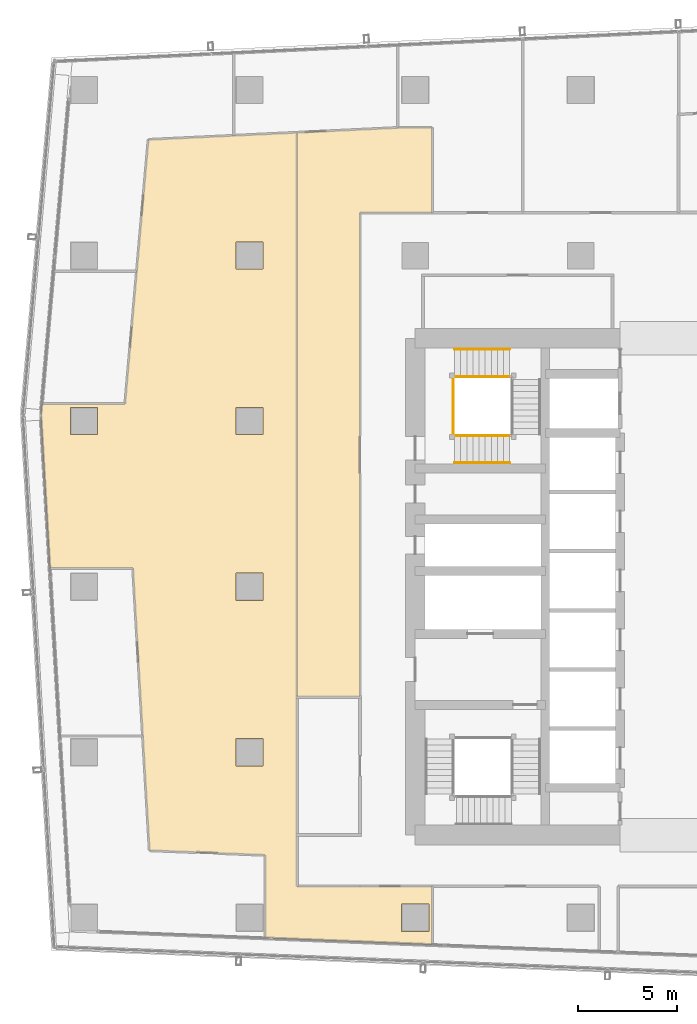
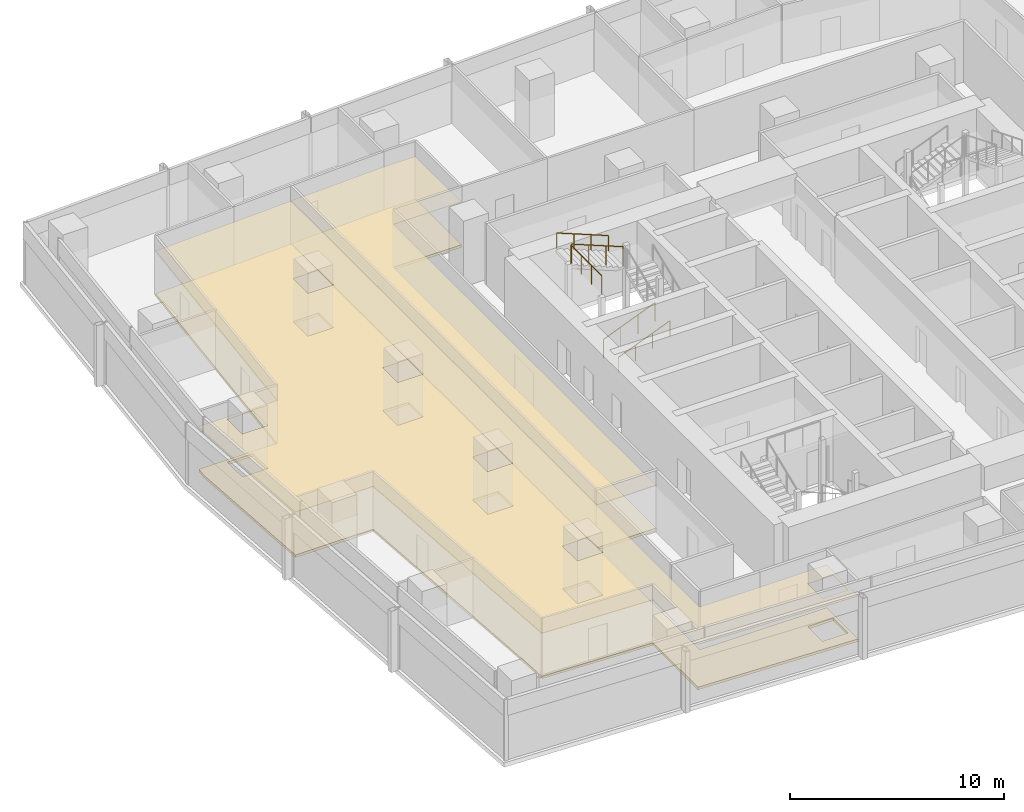
# One storey, part 33 of 38: 5 railings, 4 coverings.
"""IFC4 building model written with IfcOpenShell, lengths in metres."""

from ifc_helpers import new_model, si_unit, direction, frame, origin, origin_2d, place, context, subcontext, project, spatial, polyline, circle, outline, extrude, material, layer, layer_set, type_object, element, save


model = new_model("IFC4")

# Units and contexts
model_context = context("Model", 3, precision=1e-05, world=origin(), true_north=direction((0.0, 1.0)))
body_context = subcontext(model_context, "Body", "Model", "MODEL_VIEW")
ifc_project = project(units=[si_unit("LENGTHUNIT", "METRE"), si_unit("AREAUNIT", "SQUARE_METRE"), si_unit("VOLUMEUNIT", "CUBIC_METRE"), si_unit("PLANEANGLEUNIT", "RADIAN"), si_unit("MASSUNIT", "GRAM", prefix="KILO")], contexts=[model_context])

# Site, building, storey
site_placement = place(None, origin())
site = spatial("IfcSite", under=ifc_project, at=site_placement, CompositionType="ELEMENT")
building_placement = place(site_placement, origin())
building = spatial("IfcBuilding", under=site, at=building_placement, Name="Rekha Terrace Tower", CompositionType="ELEMENT")
storey_placement = place(building_placement, frame((0.0, 0.0, 198.949951171875)))
storey = spatial("IfcBuildingStorey", under=building, at=storey_placement, Name="L50", CompositionType="ELEMENT", Elevation=198.949951171875)

# Coverings
ifc_material_1 = material(Name="Mineral fibre tile in exposed grid", Category="finish")
ifc_layer_1 = layer(ifc_material_1, 0.02001953125)
ifc_layer_set_1 = layer_set([ifc_layer_1], Name="Mineral fibre tile in exposed grid")
covering_type_1 = type_object("IfcCoveringType", Name="CL1 600x1200 office grid ceiling", PredefinedType="CEILING", material=ifc_layer_set_1)
covering_1_placement = place(storey_placement, frame((0.0, 0.0, 2.580078125)))
element("IfcCovering", 1, at=covering_1_placement, inside=storey, type_object=covering_type_1, Name="Ceiling L50-17", PredefinedType="CEILING", context=body_context, shape_type="SweptSolid", body=[
    extrude(outline(polyline([(26.05810546875, 52.574951171875), (26.05810546875, 56.885009765625), (24.322021484375, 56.885009765625), (24.2890625, 56.883056640625), (19.199951171875, 56.639892578125), (19.199951171875, 28.0), (22.39990234375, 28.0), (22.39990234375, 52.574951171875), (26.05810546875, 52.574951171875)])), origin(), (0.0, 0.0, 1.0), 0.02001953125),
])
covering_2_placement = place(storey_placement, frame((0.0, 0.0, 2.580078125)))
element("IfcCovering", 2, at=covering_2_placement, inside=storey, type_object=covering_type_1, Name="Ceiling L50-O1b", PredefinedType="CEILING", context=body_context, shape_type="SweptSolid", body=[
    extrude(outline(polyline([(11.662109375, 56.280029296875), (11.072998046875, 49.60107421875), (10.47900390625, 42.87109375), (6.261962890625, 42.87109375), (6.212890625, 42.31396484375), (6.6708984375, 34.535888671875), (10.8779296875, 34.535888671875), (11.3798828125, 26.008056640625), (11.720947265625, 20.216064453125), (17.5849609375, 19.98193359375), (17.5849609375, 15.779052734375), (26.05810546875, 15.43994140625), (26.05810546875, 18.39990234375), (19.199951171875, 18.39990234375), (19.199951171875, 56.639892578125), (15.97412109375, 56.486083984375), (11.662109375, 56.280029296875)]), holes=[polyline([(25.889892578125, 17.489990234375), (25.889892578125, 16.110107421875), (24.510009765625, 16.110107421875), (24.510009765625, 17.489990234375), (25.889892578125, 17.489990234375)]), polyline([(17.489990234375, 24.510009765625), (16.110107421875, 24.510009765625), (16.110107421875, 25.889892578125), (17.489990234375, 25.889892578125), (17.489990234375, 24.510009765625)]), polyline([(17.489990234375, 32.909912109375), (16.110107421875, 32.909912109375), (16.110107421875, 34.2900390625), (17.489990234375, 34.2900390625), (17.489990234375, 32.909912109375)]), polyline([(17.489990234375, 42.68994140625), (17.489990234375, 41.31005859375), (16.110107421875, 41.31005859375), (16.110107421875, 42.68994140625), (17.489990234375, 42.68994140625)]), polyline([(17.489990234375, 51.090087890625), (17.489990234375, 49.7099609375), (16.110107421875, 49.7099609375), (16.110107421875, 51.090087890625), (17.489990234375, 51.090087890625)]), polyline([(9.090087890625, 41.31005859375), (7.7099609375, 41.31005859375), (7.7099609375, 42.68994140625), (9.090087890625, 42.68994140625), (9.090087890625, 41.31005859375)])]), origin(), (0.0, 0.0, 1.0), 0.02001953125),
])

# Railings
ifc_material_2 = material(Name="Stainless steel balustrade", Category="steel")
railing_type_1 = type_object("IfcRailingType", Name="GR1 1100 stair guard", PredefinedType="GUARDRAIL", material=ifc_material_2)
railing_1_placement = place(storey_placement, frame((27.199951171875, 41.264892578125, 0.125)))
element("IfcRailing", 3, at=railing_1_placement, inside=storey, type_object=railing_type_1, Name="Guard ST4 L50 flight 1", PredefinedType="GUARDRAIL", context=body_context, shape_type="SweptSolid", body=[
    extrude(circle(Radius=0.02392578125, at=origin_2d()), frame((0.0, 0.0, 1.076171875), z_axis=(0.927443287984, 0.0, 0.373963831907), x_axis=(0.0, 1.0, 0.0)), (0.0, 0.0, 1.0), 3.00830078125),
    extrude(circle(Radius=0.02099609375, at=origin_2d()), origin(), (0.0, 0.0, 1.0), 1.052001953125),
    extrude(circle(Radius=0.02099609375, at=origin_2d()), frame((0.929931640625, 0.0, 0.375)), (0.0, 0.0, 1.0), 1.052001953125),
    extrude(circle(Radius=0.02099609375, at=origin_2d()), frame((1.860107421875, 0.0, 0.75)), (0.0, 0.0, 1.0), 1.052001953125),
    extrude(circle(Radius=0.02099609375, at=origin_2d()), frame((2.7900390625, 0.0, 1.125)), (0.0, 0.0, 1.0), 1.052001953125),
])
railing_2_placement = place(storey_placement, frame((29.989990234375, 44.260009765625, 2.625)))
element("IfcRailing", 4, at=railing_2_placement, inside=storey, type_object=railing_type_1, Name="Guard ST4 L50 flight 3", PredefinedType="GUARDRAIL", context=body_context, shape_type="SweptSolid", body=[
    extrude(circle(Radius=0.02392578125, at=origin_2d()), frame((0.0, 0.0, 1.076171875), z_axis=(-0.927443287984, 0.0, 0.373963831907), x_axis=(0.0, -1.0, 0.0)), (0.0, 0.0, 1.0), 3.00830078125),
    extrude(circle(Radius=0.02099609375, at=origin_2d()), origin(), (0.0, 0.0, 1.0), 1.052001953125),
    extrude(circle(Radius=0.02099609375, at=origin_2d()), frame((-0.929931640625, 0.0, 0.375)), (0.0, 0.0, 1.0), 1.052001953125),
    extrude(circle(Radius=0.02099609375, at=origin_2d()), frame((-1.860107421875, 0.0, 0.75)), (0.0, 0.0, 1.0), 1.052001953125),
    extrude(circle(Radius=0.02099609375, at=origin_2d()), frame((-2.7900390625, 0.0, 1.125)), (0.0, 0.0, 1.0), 1.052001953125),
])
railing_3_placement = place(storey_placement, frame((27.139892578125, 41.324951171875, 3.75)))
element("IfcRailing", 5, at=railing_3_placement, inside=storey, type_object=railing_type_1, Name="Guard ST4 L50 landing 4", PredefinedType="GUARDRAIL", context=body_context, shape_type="SweptSolid", body=[
    extrude(circle(Radius=0.02392578125, at=origin_2d()), frame((0.0, 0.0, 1.076171875), z_axis=(0.0, 1.0, 0.0), x_axis=(-1.0, 0.0, 0.0)), (0.0, 0.0, 1.0), 2.875),
    extrude(circle(Radius=0.02099609375, at=origin_2d()), origin(), (0.0, 0.0, 1.0), 1.052001953125),
    extrude(circle(Radius=0.02099609375, at=origin_2d()), frame((0.0, 0.958251953125, 0.0)), (0.0, 0.0, 1.0), 1.052001953125),
    extrude(circle(Radius=0.02099609375, at=origin_2d()), frame((0.0, 1.916748046875, 0.0)), (0.0, 0.0, 1.0), 1.052001953125),
    extrude(circle(Radius=0.02099609375, at=origin_2d()), frame((0.0, 2.875, 0.0)), (0.0, 0.0, 1.0), 1.052001953125),
])
ifc_material_3 = material(Name="Stainless steel tube", Category="steel")
railing_type_2 = type_object("IfcRailingType", Name="HR1 900 stair handrail", PredefinedType="HANDRAIL", material=ifc_material_3)
railing_4_placement = place(storey_placement, frame((27.199951171875, 39.885009765625, 0.125)))
element("IfcRailing", 6, at=railing_4_placement, inside=storey, type_object=railing_type_2, Name="Handrail ST4 L50 flight 1", PredefinedType="HANDRAIL", context=body_context, shape_type="SweptSolid", body=[
    extrude(circle(Radius=0.02392578125, at=origin_2d()), frame((0.0, 0.0, 0.8759765625), z_axis=(0.927443287984, 0.0, 0.373963831907), x_axis=(0.0, 1.0, 0.0)), (0.0, 0.0, 1.0), 3.00830078125),
    extrude(circle(Radius=0.02099609375, at=origin_2d()), origin(), (0.0, 0.0, 1.0), 0.851806640625),
    extrude(circle(Radius=0.02099609375, at=origin_2d()), frame((0.929931640625, 0.0, 0.375)), (0.0, 0.0, 1.0), 0.851806640625),
    extrude(circle(Radius=0.02099609375, at=origin_2d()), frame((1.860107421875, 0.0, 0.75)), (0.0, 0.0, 1.0), 0.851806640625),
    extrude(circle(Radius=0.02099609375, at=origin_2d()), frame((2.7900390625, 0.0, 1.125)), (0.0, 0.0, 1.0), 0.851806640625),
])
railing_5_placement = place(storey_placement, frame((29.989990234375, 45.639892578125, 2.625)))
element("IfcRailing", 7, at=railing_5_placement, inside=storey, type_object=railing_type_2, Name="Handrail ST4 L50 flight 3", PredefinedType="HANDRAIL", context=body_context, shape_type="SweptSolid", body=[
    extrude(circle(Radius=0.02392578125, at=origin_2d()), frame((0.0, 0.0, 0.8759765625), z_axis=(-0.927443287984, 0.0, 0.373963831907), x_axis=(0.0, -1.0, 0.0)), (0.0, 0.0, 1.0), 3.00830078125),
    extrude(circle(Radius=0.02099609375, at=origin_2d()), origin(), (0.0, 0.0, 1.0), 0.851806640625),
    extrude(circle(Radius=0.02099609375, at=origin_2d()), frame((-0.929931640625, 0.0, 0.375)), (0.0, 0.0, 1.0), 0.851806640625),
    extrude(circle(Radius=0.02099609375, at=origin_2d()), frame((-1.860107421875, 0.0, 0.75)), (0.0, 0.0, 1.0), 0.851806640625),
    extrude(circle(Radius=0.02099609375, at=origin_2d()), frame((-2.7900390625, 0.0, 1.125)), (0.0, 0.0, 1.0), 0.851806640625),
])

# Coverings
ifc_material_4 = material(Name="Calcium sulphate panels on steel pedestals", Category="steel")
ifc_layer_2 = layer(ifc_material_4, 0.14990234375)
ifc_layer_set_2 = layer_set([ifc_layer_2], Name="Calcium sulphate panels on steel pedestals")
covering_type_2 = type_object("IfcCoveringType", Name="RF1 150 raised access floor", PredefinedType="FLOORING", material=ifc_layer_set_2)
covering_3_placement = place(storey_placement, origin())
element("IfcCovering", 8, at=covering_3_placement, inside=storey, type_object=covering_type_2, Name="Raised floor L50-17", PredefinedType="FLOORING", context=body_context, shape_type="SweptSolid", body=[
    extrude(outline(polyline([(26.05810546875, 52.574951171875), (26.05810546875, 56.885009765625), (24.322021484375, 56.885009765625), (24.2890625, 56.883056640625), (19.199951171875, 56.639892578125), (19.199951171875, 28.0), (22.39990234375, 28.0), (22.39990234375, 52.574951171875), (26.05810546875, 52.574951171875)])), origin(), (0.0, 0.0, 1.0), 0.150146484375),
])
covering_4_placement = place(storey_placement, origin())
element("IfcCovering", 9, at=covering_4_placement, inside=storey, type_object=covering_type_2, Name="Raised floor L50-O1b", PredefinedType="FLOORING", context=body_context, shape_type="SweptSolid", body=[
    extrude(outline(polyline([(11.662109375, 56.280029296875), (11.072998046875, 49.60107421875), (10.47900390625, 42.87109375), (6.261962890625, 42.87109375), (6.212890625, 42.31396484375), (6.6708984375, 34.535888671875), (10.8779296875, 34.535888671875), (11.3798828125, 26.008056640625), (11.720947265625, 20.216064453125), (17.5849609375, 19.98193359375), (17.5849609375, 15.779052734375), (26.05810546875, 15.43994140625), (26.05810546875, 18.39990234375), (19.199951171875, 18.39990234375), (19.199951171875, 56.639892578125), (15.97412109375, 56.486083984375), (11.662109375, 56.280029296875)]), holes=[polyline([(25.889892578125, 17.489990234375), (25.889892578125, 16.110107421875), (24.510009765625, 16.110107421875), (24.510009765625, 17.489990234375), (25.889892578125, 17.489990234375)]), polyline([(17.489990234375, 24.510009765625), (16.110107421875, 24.510009765625), (16.110107421875, 25.889892578125), (17.489990234375, 25.889892578125), (17.489990234375, 24.510009765625)]), polyline([(17.489990234375, 32.909912109375), (16.110107421875, 32.909912109375), (16.110107421875, 34.2900390625), (17.489990234375, 34.2900390625), (17.489990234375, 32.909912109375)]), polyline([(17.489990234375, 42.68994140625), (17.489990234375, 41.31005859375), (16.110107421875, 41.31005859375), (16.110107421875, 42.68994140625), (17.489990234375, 42.68994140625)]), polyline([(17.489990234375, 51.090087890625), (17.489990234375, 49.7099609375), (16.110107421875, 49.7099609375), (16.110107421875, 51.090087890625), (17.489990234375, 51.090087890625)]), polyline([(9.090087890625, 41.31005859375), (7.7099609375, 41.31005859375), (7.7099609375, 42.68994140625), (9.090087890625, 42.68994140625), (9.090087890625, 41.31005859375)])]), origin(), (0.0, 0.0, 1.0), 0.150146484375),
])

save(model, "model.ifc")
